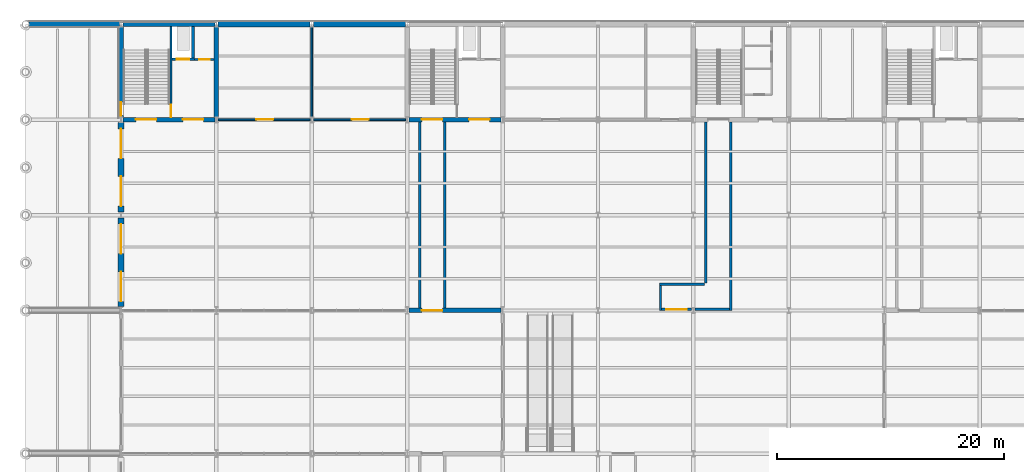
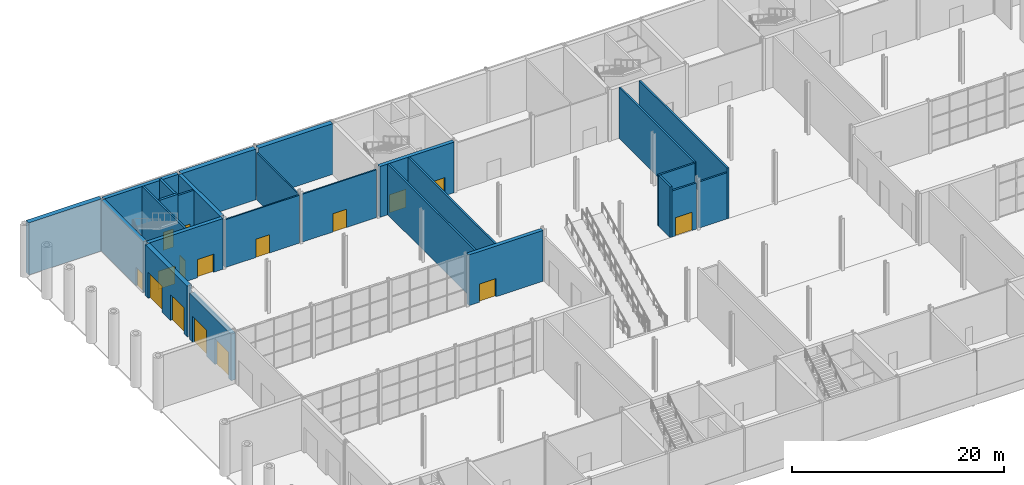
# One storey, part 32 of 55: 26 walls, 16 doors, 16 openings.
"""IFC4 building model written with IfcOpenShell, lengths in metres."""

from ifc_helpers import new_model, si_unit, direction, frame, frame_2d, origin, place, context, subcontext, project, spatial, rectangle, extrude, material, layer, layer_set, type_object, element, fill, save


model = new_model("IFC4")

# Units and contexts
model_context = context("Model", 3, precision=1e-05, world=origin(), true_north=direction((0.0, 1.0)))
body_context = subcontext(model_context, "Body", "Model", "MODEL_VIEW")
ifc_project = project(units=[si_unit("LENGTHUNIT", "METRE"), si_unit("AREAUNIT", "SQUARE_METRE"), si_unit("VOLUMEUNIT", "CUBIC_METRE"), si_unit("PLANEANGLEUNIT", "RADIAN"), si_unit("MASSUNIT", "GRAM", prefix="KILO")], contexts=[model_context])

# Site, building, storey
site_placement = place(None, origin())
site = spatial("IfcSite", under=ifc_project, at=site_placement, CompositionType="ELEMENT")
building_placement = place(site_placement, origin())
building = spatial("IfcBuilding", under=site, at=building_placement, Name="Galleria Vessillo Department Store", CompositionType="ELEMENT")
storey_placement = place(building_placement, origin())
storey = spatial("IfcBuildingStorey", under=building, at=storey_placement, Name="L00", CompositionType="ELEMENT", Elevation=0.0)

# Wall, opening, door
ifc_material_1 = material(Name="Solid clay block masonry", Category="masonry")
ifc_layer_1 = layer(ifc_material_1, 0.25)
ifc_layer_set_1 = layer_set([ifc_layer_1], Name="Solid clay block masonry")
wall_type_1 = type_object("IfcWallType", Name="Lift shaft wall 250 mm", PredefinedType="SOLIDWALL", material=ifc_layer_set_1)
wall_1_placement = place(storey_placement, frame((12.89990234375, 59.925048828125, 0.0), z_axis=(0.0, 0.0, 1.0), x_axis=(1.0, 0.0, 0.0)))
wall_1 = element("IfcWall", 1, at=wall_1_placement, inside=storey, type_object=wall_type_1, Name="Lift shaft wall LP2 landing side L00", PredefinedType="SOLIDWALL", context=body_context, shape_type="SweptSolid", body=[
    extrude(rectangle(XDim=1.9501953125, YDim=0.25, at=frame_2d((0.97509765625, 0.0))), origin(), (0.0, 0.0, 1.0), 6.0),
])
opening_1_placement = place(wall_1_placement, frame((0.425048828125, 0.0, 0.0)))
opening_1 = element("IfcOpeningElement", 2, at=opening_1_placement, cuts=wall_1, Name="Opening LD011", PredefinedType="OPENING", context=body_context, shape_type="SweptSolid", body=[
    extrude(rectangle(XDim=1.10009765625, YDim=2.10009765625, at=frame_2d((0.550048828125, 1.050048828125))), frame((0.0, 0.135009765625, 0.0), z_axis=(0.0, -1.0, 0.0), x_axis=(1.0, 0.0, 0.0)), (0.0, 0.0, 1.0), 0.27001953125),
])
ifc_material_2 = material(Name="Stainless steel lift door panel", Category="steel")
door_type_1 = type_object("IfcDoorType", Name="Lift landing door LD110 sliding 1100 x 2100", OperationType="SLIDING_TO_LEFT", PredefinedType="DOOR", material=ifc_material_2)
door_1_placement = place(opening_1_placement, frame((1.10009765625, 0.0, 0.0), z_axis=(0.0, 0.0, 1.0), x_axis=(-1.0, 0.0, 0.0)))
door_1 = element("IfcDoor", 3, at=door_1_placement, inside=storey, type_object=door_type_1, Name="Lift landing door LP2 L00", OperationType="SLIDING_TO_RIGHT", OverallHeight=2.10009765625, OverallWidth=1.10009765625, PredefinedType="DOOR", context=body_context, shape_type="SweptSolid", body=[
    extrude(rectangle(XDim=1.10009765625, YDim=2.10009765625, at=frame_2d((0.550048828125, 1.050048828125))), frame((0.0, 0.02490234375, 0.0), z_axis=(0.0, -1.0, 0.0), x_axis=(1.0, 0.0, 0.0)), (0.0, 0.0, 1.0), 0.050048828125),
])
fill(opening_1, door_1)

# Wall
wall_2_placement = place(storey_placement, frame((14.72509765625, 62.800048828125, 0.0), z_axis=(0.0, 0.0, 1.0), x_axis=(0.0, -1.0, 0.0)))
element("IfcWall", 4, at=wall_2_placement, inside=storey, type_object=wall_type_1, Name="Lift shaft wall LP2 L00", PredefinedType="SOLIDWALL", context=body_context, shape_type="SweptSolid", body=[
    extrude(rectangle(XDim=2.75, YDim=0.25, at=frame_2d((1.375, 0.0))), origin(), (0.0, 0.0, 1.0), 6.0),
])

# Wall, opening, door
ifc_material_3 = material(Name="Reinforced masonry, Ceppo di Gre units 80 MPa", Category="masonry")
ifc_layer_2 = layer(ifc_material_3, 0.39990234375)
ifc_layer_set_2 = layer_set([ifc_layer_2], Name="Reinforced masonry, Ceppo di Gre units 80 MPa")
wall_type_2 = type_object("IfcWallType", Name="Load-bearing Ceppo di Gre pier wall 400 mm, internal", PredefinedType="STANDARD", material=ifc_layer_set_2)
wall_3_placement = place(storey_placement, frame((33.752685546875, 37.800048828125, 0.0), z_axis=(0.0, 0.0, 1.0), x_axis=(1.0, 0.0, 0.0)))
wall_3 = element("IfcWall", 5, at=wall_3_placement, inside=storey, type_object=wall_type_2, Name="Load-bearing Ceppo di Gre pier wall 400 mm AI-BW-N-L00-01", PredefinedType="STANDARD", context=body_context, shape_type="SweptSolid", body=[
    extrude(rectangle(XDim=8.0947265625, YDim=0.39990234375, at=frame_2d((4.04736328125, 0.0))), origin(), (0.0, 0.0, 1.0), 5.85009765625),
])
opening_2_placement = place(wall_3_placement, frame((1.1474609375, 0.0, 0.0)))
opening_2 = element("IfcOpeningElement", 6, at=opening_2_placement, cuts=wall_3, Name="Opening D5354", PredefinedType="OPENING", context=body_context, shape_type="SweptSolid", body=[
    extrude(rectangle(XDim=1.800048828125, YDim=2.10009765625, at=frame_2d((0.89990234375, 1.050048828125))), frame((0.0, 0.2099609375, 0.0), z_axis=(0.0, -1.0, 0.0), x_axis=(1.0, 0.0, 0.0)), (0.0, 0.0, 1.0), 0.419921875),
])
ifc_material_4 = material(Name="Fire-rated steel door leaf", Category="steel")
door_type_2 = type_object("IfcDoorType", Name="Door D180F double leaf 1800 x 2100", OperationType="DOUBLE_DOOR_SINGLE_SWING", PredefinedType="DOOR", material=ifc_material_4)
door_2_placement = place(opening_2_placement, frame((1.800048828125, 0.0, 0.0), z_axis=(0.0, 0.0, 1.0), x_axis=(-1.0, 0.0, 0.0)))
door_2 = element("IfcDoor", 7, at=door_2_placement, inside=storey, type_object=door_type_2, Name="Passage exit door XA-ST4", OperationType="DOUBLE_DOOR_SINGLE_SWING", OverallHeight=2.10009765625, OverallWidth=1.800048828125, PredefinedType="DOOR", context=body_context, shape_type="SweptSolid", body=[
    extrude(rectangle(XDim=1.800048828125, YDim=2.10009765625, at=frame_2d((0.89990234375, 1.050048828125))), frame((0.0, 0.02490234375, 0.0), z_axis=(0.0, -1.0, 0.0), x_axis=(1.0, 0.0, 0.0)), (0.0, 0.0, 1.0), 0.050048828125),
])
fill(opening_2, door_2)

# Wall, openings, doors
ifc_material_5 = material(Name="Reinforced masonry, limestone units 80 MPa", Category="masonry")
ifc_layer_3 = layer(ifc_material_5, 0.5)
ifc_layer_set_3 = layer_set([ifc_layer_3], Name="Reinforced masonry, limestone units 80 MPa")
wall_type_3 = type_object("IfcWallType", Name="Load-bearing limestone-faced wall 500 mm", PredefinedType="STANDARD", material=ifc_layer_set_3)
wall_4_placement = place(storey_placement, frame((8.39990234375, 38.134033203125, 0.0), z_axis=(0.0, 0.0, 1.0), x_axis=(0.0, 1.0, 0.0)))
wall_4 = element("IfcWall", 8, at=wall_4_placement, inside=storey, type_object=wall_type_3, Name="Load-bearing limestone-faced wall 500 mm LB-N-L00-01", PredefinedType="STANDARD", context=body_context, shape_type="SweptSolid", body=[
    extrude(rectangle(XDim=7.81591796875, YDim=0.5, at=frame_2d((3.907958984375, 0.0))), origin(), (0.0, 0.0, 1.0), 5.35986328125),
])
opening_3_placement = place(wall_4_placement, frame((0.466064453125, 0.0, 0.0)))
opening_3 = element("IfcOpeningElement", 9, at=opening_3_placement, cuts=wall_4, Name="Opening DW5", PredefinedType="OPENING", context=body_context, shape_type="SweptSolid", body=[
    extrude(rectangle(XDim=2.60009765625, YDim=3.0, at=frame_2d((1.300048828125, 1.5))), frame((0.0, 0.260009765625, 0.0), z_axis=(0.0, -1.0, 0.0), x_axis=(1.0, 0.0, 0.0)), (0.0, 0.0, 1.0), 0.52001953125),
])
opening_4_placement = place(wall_4_placement, frame((4.666015625, 0.0, 0.0)))
opening_4 = element("IfcOpeningElement", 10, at=opening_4_placement, cuts=wall_4, Name="Opening DW6", PredefinedType="OPENING", context=body_context, shape_type="SweptSolid", body=[
    extrude(rectangle(XDim=2.60009765625, YDim=3.0, at=frame_2d((1.300048828125, 1.5))), frame((0.0, 0.260009765625, 0.0), z_axis=(0.0, -1.0, 0.0), x_axis=(1.0, 0.0, 0.0)), (0.0, 0.0, 1.0), 0.52001953125),
])
ifc_material_6 = material(Name="Aluminium frame with laminated glass 44.2", Category="aluminium")
door_type_3 = type_object("IfcDoorType", Name="Glazed double exit door 2600 x 3000", OperationType="DOUBLE_DOOR_SINGLE_SWING", PredefinedType="DOOR", material=ifc_material_6)
door_3_placement = place(opening_3_placement, origin())
door_3 = element("IfcDoor", 11, at=door_3_placement, inside=storey, type_object=door_type_3, Name="Glazed double exit door 2600 x 3000 DW5", OperationType="DOUBLE_DOOR_SINGLE_SWING", OverallHeight=3.0, OverallWidth=2.60009765625, PredefinedType="DOOR", context=body_context, shape_type="SweptSolid", body=[
    extrude(rectangle(XDim=2.60009765625, YDim=3.0, at=frame_2d((1.300048828125, 1.5))), frame((0.0, 0.02490234375, 0.0), z_axis=(0.0, -1.0, 0.0), x_axis=(1.0, 0.0, 0.0)), (0.0, 0.0, 1.0), 0.050048828125),
])
fill(opening_3, door_3)
door_4_placement = place(opening_4_placement, origin())
door_4 = element("IfcDoor", 12, at=door_4_placement, inside=storey, type_object=door_type_3, Name="Glazed double exit door 2600 x 3000 DW6", OperationType="DOUBLE_DOOR_SINGLE_SWING", OverallHeight=3.0, OverallWidth=2.60009765625, PredefinedType="DOOR", context=body_context, shape_type="SweptSolid", body=[
    extrude(rectangle(XDim=2.60009765625, YDim=3.0, at=frame_2d((1.300048828125, 1.5))), frame((0.0, 0.02490234375, 0.0), z_axis=(0.0, -1.0, 0.0), x_axis=(1.0, 0.0, 0.0)), (0.0, 0.0, 1.0), 0.050048828125),
])
fill(opening_4, door_4)

wall_5_placement = place(storey_placement, frame((8.39990234375, 46.449951171875, 0.0), z_axis=(0.0, 0.0, 1.0), x_axis=(0.0, 1.0, 0.0)))
wall_5 = element("IfcWall", 13, at=wall_5_placement, inside=storey, type_object=wall_type_3, Name="Load-bearing limestone-faced wall 500 mm LB-N-L00-02", PredefinedType="STANDARD", context=body_context, shape_type="SweptSolid", body=[
    extrude(rectangle(XDim=7.900146484375, YDim=0.5, at=frame_2d((3.9501953125, 0.0))), origin(), (0.0, 0.0, 1.0), 5.85009765625),
])
opening_5_placement = place(wall_5_placement, frame((0.550048828125, 0.0, 0.0)))
opening_5 = element("IfcOpeningElement", 14, at=opening_5_placement, cuts=wall_5, Name="Opening DW7", PredefinedType="OPENING", context=body_context, shape_type="SweptSolid", body=[
    extrude(rectangle(XDim=2.60009765625, YDim=3.0, at=frame_2d((1.300048828125, 1.5))), frame((0.0, 0.260009765625, 0.0), z_axis=(0.0, -1.0, 0.0), x_axis=(1.0, 0.0, 0.0)), (0.0, 0.0, 1.0), 0.52001953125),
])
opening_6_placement = place(wall_5_placement, frame((4.75, 0.0, 0.0)))
opening_6 = element("IfcOpeningElement", 15, at=opening_6_placement, cuts=wall_5, Name="Opening DW8", PredefinedType="OPENING", context=body_context, shape_type="SweptSolid", body=[
    extrude(rectangle(XDim=2.60009765625, YDim=3.0, at=frame_2d((1.300048828125, 1.5))), frame((0.0, 0.260009765625, 0.0), z_axis=(0.0, -1.0, 0.0), x_axis=(1.0, 0.0, 0.0)), (0.0, 0.0, 1.0), 0.52001953125),
])
door_5_placement = place(opening_5_placement, origin())
door_5 = element("IfcDoor", 16, at=door_5_placement, inside=storey, type_object=door_type_3, Name="Glazed double exit door 2600 x 3000 DW7", OperationType="DOUBLE_DOOR_SINGLE_SWING", OverallHeight=3.0, OverallWidth=2.60009765625, PredefinedType="DOOR", context=body_context, shape_type="SweptSolid", body=[
    extrude(rectangle(XDim=2.60009765625, YDim=3.0, at=frame_2d((1.300048828125, 1.5))), frame((0.0, 0.02490234375, 0.0), z_axis=(0.0, -1.0, 0.0), x_axis=(1.0, 0.0, 0.0)), (0.0, 0.0, 1.0), 0.050048828125),
])
fill(opening_5, door_5)
door_6_placement = place(opening_6_placement, origin())
door_6 = element("IfcDoor", 17, at=door_6_placement, inside=storey, type_object=door_type_3, Name="Glazed double exit door 2600 x 3000 DW8", OperationType="DOUBLE_DOOR_SINGLE_SWING", OverallHeight=3.0, OverallWidth=2.60009765625, PredefinedType="DOOR", context=body_context, shape_type="SweptSolid", body=[
    extrude(rectangle(XDim=2.60009765625, YDim=3.0, at=frame_2d((1.300048828125, 1.5))), frame((0.0, 0.02490234375, 0.0), z_axis=(0.0, -1.0, 0.0), x_axis=(1.0, 0.0, 0.0)), (0.0, 0.0, 1.0), 0.050048828125),
])
fill(opening_6, door_6)

# Walls
ifc_material_7 = material(Name="Solid clay block masonry", Category="masonry")
ifc_layer_4 = layer(ifc_material_7, 0.199951171875)
ifc_layer_set_4 = layer_set([ifc_layer_4], Name="Solid clay block masonry")
wall_type_4 = type_object("IfcWallType", Name="Protected exit passage wall 200 mm", PredefinedType="PARTITIONING", material=ifc_layer_set_4)
for number, where, z_axis, x_axis, name in (
    (18, (34.699951171875, 54.400146484375, 0.0), (0.0, 0.0, 1.0), (0.0, -1.0, 0.0), "Protected passage wall ST4"),
    (19, (36.900146484375, 54.400146484375, 0.0), (0.0, 0.0, 1.0), (0.0, -1.0, 0.0), "Protected passage wall ST4"),
):
    element("IfcWall", number, at=place(storey_placement, frame(where, z_axis=z_axis, x_axis=x_axis)), inside=storey, type_object=wall_type_4, Name=name, PredefinedType="PARTITIONING", context=body_context, shape_type="SweptSolid", body=[
        extrude(rectangle(XDim=16.400146484375, YDim=0.199951171875, at=frame_2d((8.2001953125, 0.0))), origin(), (0.0, 0.0, 1.0), 5.85009765625),
    ])
wall_6_placement = place(storey_placement, frame((59.89990234375, 54.400146484375, 0.0), z_axis=(0.0, 0.0, 1.0), x_axis=(0.0, -1.0, 0.0)))
element("IfcWall", 20, at=wall_6_placement, inside=storey, type_object=wall_type_4, Name="Protected passage wall ST11", PredefinedType="PARTITIONING", context=body_context, shape_type="SweptSolid", body=[
    extrude(rectangle(XDim=14.2001953125, YDim=0.199951171875, at=frame_2d((7.10009765625, 0.0))), origin(), (0.0, 0.0, 1.0), 5.85009765625),
])
wall_7_placement = place(storey_placement, frame((62.10009765625, 54.400146484375, 0.0), z_axis=(0.0, 0.0, 1.0), x_axis=(0.0, -1.0, 0.0)))
element("IfcWall", 21, at=wall_7_placement, inside=storey, type_object=wall_type_4, Name="Protected passage wall ST11", PredefinedType="PARTITIONING", context=body_context, shape_type="SweptSolid", body=[
    extrude(rectangle(XDim=16.60009765625, YDim=0.199951171875, at=frame_2d((8.300048828125, 0.0))), origin(), (0.0, 0.0, 1.0), 5.85009765625),
])
wall_8_placement = place(storey_placement, frame((55.800048828125, 40.10009765625, 0.0), z_axis=(0.0, 0.0, 1.0), x_axis=(1.0, 0.0, 0.0)))
element("IfcWall", 22, at=wall_8_placement, inside=storey, type_object=wall_type_4, Name="Protected passage wall ST11", PredefinedType="PARTITIONING", context=body_context, shape_type="SweptSolid", body=[
    extrude(rectangle(XDim=4.0, YDim=0.199951171875, at=frame_2d((2.0, 0.0))), origin(), (0.0, 0.0, 1.0), 5.85009765625),
])
wall_9_placement = place(storey_placement, frame((55.89990234375, 37.800048828125, 0.0), z_axis=(0.0, 0.0, 1.0), x_axis=(0.0, 1.0, 0.0)))
element("IfcWall", 23, at=wall_9_placement, inside=storey, type_object=wall_type_4, Name="Protected passage wall ST11", PredefinedType="PARTITIONING", context=body_context, shape_type="SweptSolid", body=[
    extrude(rectangle(XDim=2.199951171875, YDim=0.199951171875, at=frame_2d((1.10009765625, 0.0))), origin(), (0.0, 0.0, 1.0), 5.85009765625),
])
wall_10_placement = place(storey_placement, frame((58.952880859375, 37.89990234375, 0.0), z_axis=(0.0, 0.0, 1.0), x_axis=(1.0, 0.0, 0.0)))
element("IfcWall", 24, at=wall_10_placement, inside=storey, type_object=wall_type_4, Name="Protected passage wall ST11", PredefinedType="PARTITIONING", context=body_context, shape_type="SweptSolid", body=[
    extrude(rectangle(XDim=3.047119140625, YDim=0.199951171875, at=frame_2d((1.5234375, 0.0))), origin(), (0.0, 0.0, 1.0), 5.31005859375),
])

# Wall, opening, door
wall_11_placement = place(storey_placement, frame((56.0, 37.89990234375, 0.0), z_axis=(0.0, 0.0, 1.0), x_axis=(1.0, 0.0, 0.0)))
wall_11 = element("IfcWall", 25, at=wall_11_placement, inside=storey, type_object=wall_type_4, Name="Protected passage end wall ST11", PredefinedType="PARTITIONING", context=body_context, shape_type="SweptSolid", body=[
    extrude(rectangle(XDim=2.64697265625, YDim=0.199951171875, at=frame_2d((1.323486328125, 0.0))), origin(), (0.0, 0.0, 1.0), 5.31005859375),
])
opening_7_placement = place(wall_11_placement, frame((0.400146484375, 0.0, 0.0)))
opening_7 = element("IfcOpeningElement", 26, at=opening_7_placement, cuts=wall_11, Name="Opening D5358", PredefinedType="OPENING", context=body_context, shape_type="SweptSolid", body=[
    extrude(rectangle(XDim=1.800048828125, YDim=2.10009765625, at=frame_2d((0.89990234375, 1.050048828125))), frame((0.0, 0.10986328125, 0.0), z_axis=(0.0, -1.0, 0.0), x_axis=(1.0, 0.0, 0.0)), (0.0, 0.0, 1.0), 0.219970703125),
])
door_7_placement = place(opening_7_placement, frame((1.800048828125, 0.0, 0.0), z_axis=(0.0, 0.0, 1.0), x_axis=(-1.0, 0.0, 0.0)))
door_7 = element("IfcDoor", 27, at=door_7_placement, inside=storey, type_object=door_type_2, Name="Passage exit door XA-ST11", OperationType="DOUBLE_DOOR_SINGLE_SWING", OverallHeight=2.10009765625, OverallWidth=1.800048828125, PredefinedType="DOOR", context=body_context, shape_type="SweptSolid", body=[
    extrude(rectangle(XDim=1.800048828125, YDim=2.10009765625, at=frame_2d((0.89990234375, 1.050048828125))), frame((0.0, 0.02490234375, 0.0), z_axis=(0.0, -1.0, 0.0), x_axis=(1.0, 0.0, 0.0)), (0.0, 0.0, 1.0), 0.050048828125),
])
fill(opening_7, door_7)

# Wall, openings, doors
ifc_material_8 = material(Name="Concrete C32/40 reinforced", Category="concrete")
ifc_layer_5 = layer(ifc_material_8, 0.39990234375)
ifc_layer_set_5 = layer_set([ifc_layer_5], Name="Concrete C32/40 reinforced")
wall_type_5 = type_object("IfcWallType", Name="Reinforced concrete core wall 400 mm", PredefinedType="SHEAR", material=ifc_layer_set_5)
wall_12_placement = place(storey_placement, frame((8.5498046875, 54.60009765625, 0.0), z_axis=(0.0, 0.0, 1.0), x_axis=(1.0, 0.0, 0.0)))
wall_12 = element("IfcWall", 28, at=wall_12_placement, inside=storey, type_object=wall_type_5, Name="S-CW-PC-NW-INTERIOR-L00", PredefinedType="SHEAR", context=body_context, shape_type="SweptSolid", body=[
    extrude(rectangle(XDim=8.100341796875, YDim=0.39990234375, at=frame_2d((4.05029296875, 0.0))), origin(), (0.0, 0.0, 1.0), 5.85009765625),
])
opening_8_placement = place(wall_12_placement, frame((1.150146484375, 0.0, 0.0)))
opening_8 = element("IfcOpeningElement", 29, at=opening_8_placement, cuts=wall_12, Name="Opening D5043", PredefinedType="OPENING", context=body_context, shape_type="SweptSolid", body=[
    extrude(rectangle(XDim=1.800048828125, YDim=2.10009765625, at=frame_2d((0.89990234375, 1.050048828125))), frame((0.0, 0.2099609375, 0.0), z_axis=(0.0, -1.0, 0.0), x_axis=(1.0, 0.0, 0.0)), (0.0, 0.0, 1.0), 0.419921875),
])
opening_9_placement = place(wall_12_placement, frame((5.300048828125, 0.0, 0.0)))
opening_9 = element("IfcOpeningElement", 30, at=opening_9_placement, cuts=wall_12, Name="Opening D5044", PredefinedType="OPENING", context=body_context, shape_type="SweptSolid", body=[
    extrude(rectangle(XDim=1.800048828125, YDim=2.10009765625, at=frame_2d((0.89990234375, 1.050048828125))), frame((0.0, 0.2099609375, 0.0), z_axis=(0.0, -1.0, 0.0), x_axis=(1.0, 0.0, 0.0)), (0.0, 0.0, 1.0), 0.419921875),
])
door_8_placement = place(opening_8_placement, frame((1.800048828125, 0.0, 0.0), z_axis=(0.0, 0.0, 1.0), x_axis=(-1.0, 0.0, 0.0)))
door_8 = element("IfcDoor", 31, at=door_8_placement, inside=storey, type_object=door_type_2, Name="Lobby door PC-NW-ST-FLOOR L00", OperationType="DOUBLE_DOOR_SINGLE_SWING", OverallHeight=2.10009765625, OverallWidth=1.800048828125, PredefinedType="DOOR", context=body_context, shape_type="SweptSolid", body=[
    extrude(rectangle(XDim=1.800048828125, YDim=2.10009765625, at=frame_2d((0.89990234375, 1.050048828125))), frame((0.0, 0.02490234375, 0.0), z_axis=(0.0, -1.0, 0.0), x_axis=(1.0, 0.0, 0.0)), (0.0, 0.0, 1.0), 0.050048828125),
])
fill(opening_8, door_8)
door_9_placement = place(opening_9_placement, origin())
door_9 = element("IfcDoor", 32, at=door_9_placement, inside=storey, type_object=door_type_2, Name="Lobby door PC-NW-LOBBY-FLOOR L00", OperationType="DOUBLE_DOOR_SINGLE_SWING", OverallHeight=2.10009765625, OverallWidth=1.800048828125, PredefinedType="DOOR", context=body_context, shape_type="SweptSolid", body=[
    extrude(rectangle(XDim=1.800048828125, YDim=2.10009765625, at=frame_2d((0.89990234375, 1.050048828125))), frame((0.0, 0.02490234375, 0.0), z_axis=(0.0, -1.0, 0.0), x_axis=(1.0, 0.0, 0.0)), (0.0, 0.0, 1.0), 0.050048828125),
])
fill(opening_9, door_9)

# Wall
wall_13_placement = place(storey_placement, frame((16.800048828125, 54.85009765625, 0.0), z_axis=(0.0, 0.0, 1.0), x_axis=(0.0, 1.0, 0.0)))
element("IfcWall", 33, at=wall_13_placement, inside=storey, type_object=wall_type_5, Name="S-CW-PC-NW-EAST-L00", PredefinedType="SHEAR", context=body_context, shape_type="SweptSolid", body=[
    extrude(rectangle(XDim=7.89990234375, YDim=0.39990234375, at=frame_2d((3.949951171875, 0.0))), origin(), (0.0, 0.0, 1.0), 5.85009765625),
])

# Wall, openings, doors
wall_14_placement = place(storey_placement, frame((33.75, 54.60009765625, 0.0), z_axis=(0.0, 0.0, 1.0), x_axis=(1.0, 0.0, 0.0)))
wall_14 = element("IfcWall", 34, at=wall_14_placement, inside=storey, type_object=wall_type_5, Name="S-CW-PC-NM-INTERIOR-L00", PredefinedType="SHEAR", context=body_context, shape_type="SweptSolid", body=[
    extrude(rectangle(XDim=8.10009765625, YDim=0.39990234375, at=frame_2d((4.050048828125, 0.0))), origin(), (0.0, 0.0, 1.0), 5.85009765625),
])
opening_10_placement = place(wall_14_placement, frame((5.2998046875, 0.0, 0.0)))
opening_10 = element("IfcOpeningElement", 35, at=opening_10_placement, cuts=wall_14, Name="Opening D5106", PredefinedType="OPENING", context=body_context, shape_type="SweptSolid", body=[
    extrude(rectangle(XDim=1.800048828125, YDim=2.10009765625, at=frame_2d((0.89990234375, 1.050048828125))), frame((0.0, 0.2099609375, 0.0), z_axis=(0.0, -1.0, 0.0), x_axis=(1.0, 0.0, 0.0)), (0.0, 0.0, 1.0), 0.419921875),
])
opening_11_placement = place(wall_14_placement, frame((1.14990234375, 0.0, 0.0)))
opening_11 = element("IfcOpeningElement", 36, at=opening_11_placement, cuts=wall_14, Name="Opening D5344", PredefinedType="OPENING", context=body_context, shape_type="SweptSolid", body=[
    extrude(rectangle(XDim=1.800048828125, YDim=2.10009765625, at=frame_2d((0.89990234375, 1.050048828125))), frame((0.0, 0.2099609375, 0.0), z_axis=(0.0, -1.0, 0.0), x_axis=(1.0, 0.0, 0.0)), (0.0, 0.0, 1.0), 0.419921875),
])
door_10_placement = place(opening_10_placement, origin())
door_10 = element("IfcDoor", 37, at=door_10_placement, inside=storey, type_object=door_type_2, Name="Lobby door PC-NM-LOBBY-FLOOR L00", OperationType="DOUBLE_DOOR_SINGLE_SWING", OverallHeight=2.10009765625, OverallWidth=1.800048828125, PredefinedType="DOOR", context=body_context, shape_type="SweptSolid", body=[
    extrude(rectangle(XDim=1.800048828125, YDim=2.10009765625, at=frame_2d((0.89990234375, 1.050048828125))), frame((0.0, 0.02490234375, 0.0), z_axis=(0.0, -1.0, 0.0), x_axis=(1.0, 0.0, 0.0)), (0.0, 0.0, 1.0), 0.050048828125),
])
fill(opening_10, door_10)
door_11_placement = place(opening_11_placement, frame((1.800048828125, 0.0, 0.0), z_axis=(0.0, 0.0, 1.0), x_axis=(-1.0, 0.0, 0.0)))
door_11 = element("IfcDoor", 38, at=door_11_placement, inside=storey, type_object=door_type_2, Name="Stair exit door X-ST4", OperationType="DOUBLE_DOOR_SINGLE_SWING", OverallHeight=2.10009765625, OverallWidth=1.800048828125, PredefinedType="DOOR", context=body_context, shape_type="SweptSolid", body=[
    extrude(rectangle(XDim=1.800048828125, YDim=2.10009765625, at=frame_2d((0.89990234375, 1.050048828125))), frame((0.0, 0.02490234375, 0.0), z_axis=(0.0, -1.0, 0.0), x_axis=(1.0, 0.0, 0.0)), (0.0, 0.0, 1.0), 0.050048828125),
])
fill(opening_11, door_11)

# Wall
ifc_material_9 = material(Name="Concrete C32/40 reinforced", Category="concrete")
ifc_layer_6 = layer(ifc_material_9, 0.39990234375)
ifc_layer_set_6 = layer_set([ifc_layer_6], Name="Concrete C32/40 reinforced")
wall_type_6 = type_object("IfcWallType", Name="Reinforced concrete core wall 400 mm, external", PredefinedType="SHEAR", material=ifc_layer_set_6)
wall_15_placement = place(storey_placement, frame((8.5498046875, 63.0, 0.0), z_axis=(0.0, 0.0, 1.0), x_axis=(1.0, 0.0, 0.0)))
element("IfcWall", 39, at=wall_15_placement, inside=storey, type_object=wall_type_6, Name="S-CW-PC-NW-PARTY-L00", PredefinedType="SHEAR", context=body_context, shape_type="SweptSolid", body=[
    extrude(rectangle(XDim=8.100341796875, YDim=0.39990234375, at=frame_2d((4.05029296875, 0.0))), origin(), (0.0, 0.0, 1.0), 5.85009765625),
])

# Wall, opening, door
wall_16_placement = place(storey_placement, frame((8.39990234375, 54.85009765625, 0.0), z_axis=(0.0, 0.0, 1.0), x_axis=(0.0, 1.0, 0.0)))
wall_16 = element("IfcWall", 40, at=wall_16_placement, inside=storey, type_object=wall_type_6, Name="S-CW-PC-NW-WEST-L00", PredefinedType="SHEAR", context=body_context, shape_type="SweptSolid", body=[
    extrude(rectangle(XDim=7.89990234375, YDim=0.39990234375, at=frame_2d((3.949951171875, 0.0))), origin(), (0.0, 0.0, 1.0), 5.85009765625),
])
opening_12_placement = place(wall_16_placement, frame((0.10009765625, 0.0, 0.0)))
opening_12 = element("IfcOpeningElement", 41, at=opening_12_placement, cuts=wall_16, Name="Opening D5342", PredefinedType="OPENING", context=body_context, shape_type="SweptSolid", body=[
    extrude(rectangle(XDim=1.199951171875, YDim=2.10009765625, at=frame_2d((0.60009765625, 1.050048828125))), frame((0.0, 0.2099609375, 0.0), z_axis=(0.0, -1.0, 0.0), x_axis=(1.0, 0.0, 0.0)), (0.0, 0.0, 1.0), 0.419921875),
])
ifc_material_10 = material(Name="Fire-rated steel door leaf", Category="steel")
door_type_4 = type_object("IfcDoorType", Name="Door D120F fire door 1200 x 2100", OperationType="SINGLE_SWING_LEFT", PredefinedType="DOOR", material=ifc_material_10)
door_12_placement = place(opening_12_placement, origin())
door_12 = element("IfcDoor", 42, at=door_12_placement, inside=storey, type_object=door_type_4, Name="Stair exit door X-ST2", OperationType="SINGLE_SWING_LEFT", OverallHeight=2.10009765625, OverallWidth=1.199951171875, PredefinedType="DOOR", context=body_context, shape_type="SweptSolid", body=[
    extrude(rectangle(XDim=1.199951171875, YDim=2.10009765625, at=frame_2d((0.60009765625, 1.050048828125))), frame((0.0, 0.02490234375, 0.0), z_axis=(0.0, -1.0, 0.0), x_axis=(1.0, 0.0, 0.0)), (0.0, 0.0, 1.0), 0.050048828125),
])
fill(opening_12, door_12)

# Walls
ifc_material_11 = material(Name="Concrete C32/40 reinforced", Category="concrete")
ifc_layer_7 = layer(ifc_material_11, 0.5)
ifc_layer_set_7 = layer_set([ifc_layer_7], Name="Concrete C32/40 reinforced")
wall_type_7 = type_object("IfcWallType", Name="Reinforced concrete party wall 500 mm", PredefinedType="SHEAR", material=ifc_layer_set_7)
wall_17_placement = place(storey_placement, frame((0.304931640625, 63.0, 0.0), z_axis=(0.0, 0.0, 1.0), x_axis=(1.0, 0.0, 0.0)))
element("IfcWall", 43, at=wall_17_placement, inside=storey, type_object=wall_type_7, Name="S-PN-L00-01", PredefinedType="SHEAR", context=body_context, shape_type="SweptSolid", body=[
    extrude(rectangle(XDim=7.945068359375, YDim=0.5, at=frame_2d((3.97265625, 0.0))), origin(), (0.0, 0.0, 1.0), 6.0),
])
wall_18_placement = place(storey_placement, frame((16.949951171875, 63.0, 0.0), z_axis=(0.0, 0.0, 1.0), x_axis=(1.0, 0.0, 0.0)))
element("IfcWall", 44, at=wall_18_placement, inside=storey, type_object=wall_type_7, Name="S-PN-L00-02", PredefinedType="SHEAR", context=body_context, shape_type="SweptSolid", body=[
    extrude(rectangle(XDim=8.10009765625, YDim=0.5, at=frame_2d((4.050048828125, 0.0))), origin(), (0.0, 0.0, 1.0), 5.85009765625),
])
wall_19_placement = place(storey_placement, frame((25.349853515625, 63.0, 0.0), z_axis=(0.0, 0.0, 1.0), x_axis=(1.0, 0.0, 0.0)))
element("IfcWall", 45, at=wall_19_placement, inside=storey, type_object=wall_type_7, Name="S-PN-L00-03", PredefinedType="SHEAR", context=body_context, shape_type="SweptSolid", body=[
    extrude(rectangle(XDim=8.100341796875, YDim=0.5, at=frame_2d((4.05029296875, 0.0))), origin(), (0.0, 0.0, 1.0), 5.85009765625),
])

# Wall, opening, door
ifc_material_12 = material(Name="Concrete C32/40 reinforced", Category="concrete")
ifc_layer_8 = layer(ifc_material_12, 0.199951171875)
ifc_layer_set_8 = layer_set([ifc_layer_8], Name="Concrete C32/40 reinforced")
wall_type_8 = type_object("IfcWallType", Name="Reinforced concrete stair enclosure wall 200 mm", PredefinedType="SHEAR", material=ifc_layer_set_8)
wall_20_placement = place(storey_placement, frame((12.7998046875, 62.800048828125, 0.0), z_axis=(0.0, 0.0, 1.0), x_axis=(0.0, -1.0, 0.0)))
wall_20 = element("IfcWall", 46, at=wall_20_placement, inside=storey, type_object=wall_type_8, Name="Stair enclosure wall PC-NW L00", PredefinedType="SHEAR", context=body_context, shape_type="SweptSolid", body=[
    extrude(rectangle(XDim=8.0, YDim=0.199951171875, at=frame_2d((4.0, 0.0))), origin(), (0.0, 0.0, 1.0), 5.85009765625),
])
opening_13_placement = place(wall_20_placement, frame((6.89990234375, 0.0, 0.0)))
opening_13 = element("IfcOpeningElement", 47, at=opening_13_placement, cuts=wall_20, Name="Opening D5041", PredefinedType="OPENING", context=body_context, shape_type="SweptSolid", body=[
    extrude(rectangle(XDim=1.11009765625, YDim=2.10009765625, at=frame_2d((0.554931640625, 1.050048828125))), frame((0.0, 0.10986328125, 0.0), z_axis=(0.0, -1.0, 0.0), x_axis=(1.0, 0.0, 0.0)), (0.0, 0.0, 1.0), 0.219970703125),
])
ifc_material_13 = material(Name="Fire-rated steel door leaf", Category="steel")
door_type_5 = type_object("IfcDoorType", Name="Door D110F stair door 1100 x 2100", OperationType="SINGLE_SWING_LEFT", PredefinedType="DOOR", material=ifc_material_13)
door_13_placement = place(opening_13_placement, origin())
door_13 = element("IfcDoor", 48, at=door_13_placement, inside=storey, type_object=door_type_5, Name="Stair door PC-NW-ST-LOBBY L00", OperationType="SINGLE_SWING_RIGHT", OverallHeight=2.10009765625, OverallWidth=1.10009765625, PredefinedType="DOOR", context=body_context, shape_type="SweptSolid", body=[
    extrude(rectangle(XDim=1.10009765625, YDim=2.10009765625, at=frame_2d((0.550048828125, 1.050048828125))), frame((0.0, 0.02490234375, 0.0), z_axis=(0.0, -1.0, 0.0), x_axis=(1.0, 0.0, 0.0)), (0.0, 0.0, 1.0), 0.050048828125),
])
fill(opening_13, door_13)

ifc_material_14 = material(Name="Hollow clay block masonry", Category="masonry")
ifc_layer_9 = layer(ifc_material_14, 0.199951171875)
ifc_layer_set_9 = layer_set([ifc_layer_9], Name="Hollow clay block masonry")
wall_type_9 = type_object("IfcWallType", Name="Riser and service room wall 200 mm", PredefinedType="PARTITIONING", material=ifc_layer_set_9)
wall_21_placement = place(storey_placement, frame((14.85009765625, 59.900146484375, 0.0), z_axis=(0.0, 0.0, 1.0), x_axis=(1.0, 0.0, 0.0)))
wall_21 = element("IfcWall", 49, at=wall_21_placement, inside=storey, type_object=wall_type_9, Name="Riser wall PC-NW-RISER L00", PredefinedType="PARTITIONING", context=body_context, shape_type="SweptSolid", body=[
    extrude(rectangle(XDim=1.75, YDim=0.199951171875, at=frame_2d((0.875, 0.0))), origin(), (0.0, 0.0, 1.0), 5.85009765625),
])
opening_14_placement = place(wall_21_placement, frame((0.449951171875, 0.0, 0.0)))
opening_14 = element("IfcOpeningElement", 50, at=opening_14_placement, cuts=wall_21, Name="Opening D5042", PredefinedType="OPENING", context=body_context, shape_type="SweptSolid", body=[
    extrude(rectangle(XDim=0.89990234375, YDim=2.10009765625, at=frame_2d((0.449951171875, 1.050048828125))), frame((0.0, 0.10986328125, 0.0), z_axis=(0.0, -1.0, 0.0), x_axis=(1.0, 0.0, 0.0)), (0.0, 0.0, 1.0), 0.219970703125),
])
ifc_material_15 = material(Name="Fire-rated steel door leaf", Category="steel")
door_type_6 = type_object("IfcDoorType", Name="Door DR90 riser access 900 x 2100", OperationType="SINGLE_SWING_LEFT", PredefinedType="DOOR", material=ifc_material_15)
door_14_placement = place(opening_14_placement, origin())
door_14 = element("IfcDoor", 51, at=door_14_placement, inside=storey, type_object=door_type_6, Name="Riser door PC-NW-RISER-D L00", OperationType="SINGLE_SWING_RIGHT", OverallHeight=2.10009765625, OverallWidth=0.89990234375, PredefinedType="DOOR", context=body_context, shape_type="SweptSolid", body=[
    extrude(rectangle(XDim=0.89990234375, YDim=2.10009765625, at=frame_2d((0.449951171875, 1.050048828125))), frame((0.0, 0.02490234375, 0.0), z_axis=(0.0, -1.0, 0.0), x_axis=(1.0, 0.0, 0.0)), (0.0, 0.0, 1.0), 0.050048828125),
])
fill(opening_14, door_14)

# Wall
ifc_material_16 = material(Name="Concrete blockwork", Category="masonry")
ifc_layer_10 = layer(ifc_material_16, 0.14990234375)
ifc_layer_set_10 = layer_set([ifc_layer_10], Name="Concrete blockwork")
wall_type_10 = type_object("IfcWallType", Name="Stockroom blockwork wall 150 mm", PredefinedType="SOLIDWALL", material=ifc_layer_set_10)
wall_22_placement = place(storey_placement, frame((25.199951171875, 54.85009765625, 0.0), z_axis=(0.0, 0.0, 1.0), x_axis=(0.0, 1.0, 0.0)))
element("IfcWall", 52, at=wall_22_placement, inside=storey, type_object=wall_type_10, Name="Partition wall PT4 on L00 no. 029", PredefinedType="SOLIDWALL", context=body_context, shape_type="SweptSolid", body=[
    extrude(rectangle(XDim=7.89990234375, YDim=0.14990234375, at=frame_2d((3.949951171875, 0.0))), origin(), (0.0, 0.0, 1.0), 5.41015625),
])

# Wall, opening, door
wall_23_placement = place(storey_placement, frame((16.949951171875, 54.60009765625, 0.0), z_axis=(0.0, 0.0, 1.0), x_axis=(1.0, 0.0, 0.0)))
wall_23 = element("IfcWall", 53, at=wall_23_placement, inside=storey, type_object=wall_type_10, Name="Partition wall PT4 on L00 no. 030", PredefinedType="SOLIDWALL", context=body_context, shape_type="SweptSolid", body=[
    extrude(rectangle(XDim=8.10009765625, YDim=0.14990234375, at=frame_2d((4.050048828125, 0.0))), origin(), (0.0, 0.0, 1.0), 5.52001953125),
])
opening_15_placement = place(wall_23_placement, frame((3.35009765625, 0.0, 0.0)))
opening_15 = element("IfcOpeningElement", 54, at=opening_15_placement, cuts=wall_23, Name="Opening D2217", PredefinedType="OPENING", context=body_context, shape_type="SweptSolid", body=[
    extrude(rectangle(XDim=1.5, YDim=2.10009765625, at=frame_2d((0.75, 1.050048828125))), frame((0.0, 0.0849609375, 0.0), z_axis=(0.0, -1.0, 0.0), x_axis=(1.0, 0.0, 0.0)), (0.0, 0.0, 1.0), 0.169921875),
])
ifc_material_17 = material(Name="Steel fire door leaf", Category="steel")
door_type_7 = type_object("IfcDoorType", Name="Stockroom fire door 1500 double leaf", OperationType="DOUBLE_DOOR_SINGLE_SWING", PredefinedType="DOOR", material=ifc_material_17)
door_15_placement = place(opening_15_placement, origin())
door_15 = element("IfcDoor", 55, at=door_15_placement, inside=storey, type_object=door_type_7, Name="Door D2217", OperationType="DOUBLE_DOOR_SINGLE_SWING", OverallHeight=2.10009765625, OverallWidth=1.5, PredefinedType="DOOR", context=body_context, shape_type="SweptSolid", body=[
    extrude(rectangle(XDim=1.5, YDim=2.10009765625, at=frame_2d((0.75, 1.050048828125))), frame((0.0, 0.02490234375, 0.0), z_axis=(0.0, -1.0, 0.0), x_axis=(1.0, 0.0, 0.0)), (0.0, 0.0, 1.0), 0.050048828125),
])
fill(opening_15, door_15)

wall_24_placement = place(storey_placement, frame((25.349853515625, 54.60009765625, 0.0), z_axis=(0.0, 0.0, 1.0), x_axis=(1.0, 0.0, 0.0)))
wall_24 = element("IfcWall", 56, at=wall_24_placement, inside=storey, type_object=wall_type_10, Name="Partition wall PT4 on L00 no. 031", PredefinedType="SOLIDWALL", context=body_context, shape_type="SweptSolid", body=[
    extrude(rectangle(XDim=8.100341796875, YDim=0.14990234375, at=frame_2d((4.05029296875, 0.0))), origin(), (0.0, 0.0, 1.0), 5.52001953125),
])
opening_16_placement = place(wall_24_placement, frame((3.35009765625, 0.0, 0.0)))
opening_16 = element("IfcOpeningElement", 57, at=opening_16_placement, cuts=wall_24, Name="Opening D2218", PredefinedType="OPENING", context=body_context, shape_type="SweptSolid", body=[
    extrude(rectangle(XDim=1.5, YDim=2.10009765625, at=frame_2d((0.75, 1.050048828125))), frame((0.0, 0.0849609375, 0.0), z_axis=(0.0, -1.0, 0.0), x_axis=(1.0, 0.0, 0.0)), (0.0, 0.0, 1.0), 0.169921875),
])
door_16_placement = place(opening_16_placement, origin())
door_16 = element("IfcDoor", 58, at=door_16_placement, inside=storey, type_object=door_type_7, Name="Door D2218", OperationType="DOUBLE_DOOR_SINGLE_SWING", OverallHeight=2.10009765625, OverallWidth=1.5, PredefinedType="DOOR", context=body_context, shape_type="SweptSolid", body=[
    extrude(rectangle(XDim=1.5, YDim=2.10009765625, at=frame_2d((0.75, 1.050048828125))), frame((0.0, 0.02490234375, 0.0), z_axis=(0.0, -1.0, 0.0), x_axis=(1.0, 0.0, 0.0)), (0.0, 0.0, 1.0), 0.050048828125),
])
fill(opening_16, door_16)

save(model, "model.ifc")
